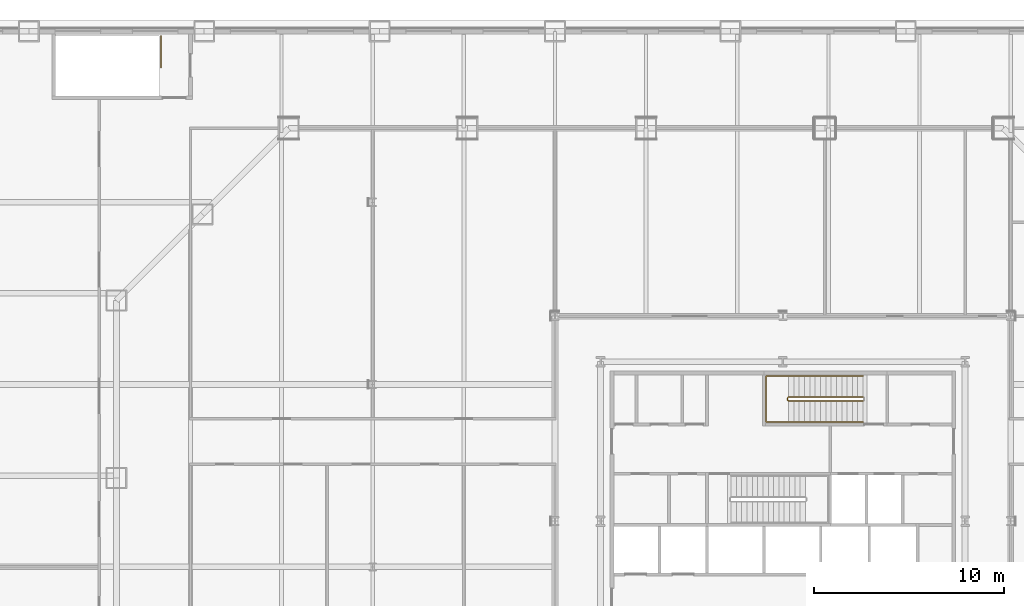
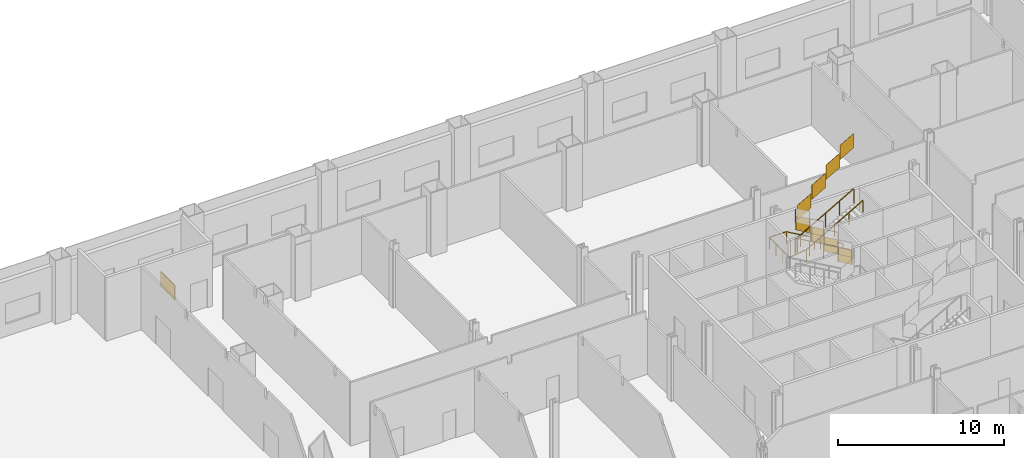
# One storey, part 19 of 22: 3 railings.
"""IFC4 building model written with IfcOpenShell, lengths in metres."""

from ifc_helpers import new_model, si_unit, direction, frame, origin, origin_2d, place, context, subcontext, project, spatial, polyline, rectangle, outline, extrude, material, type_object, element, save


model = new_model("IFC4")

# Units and contexts
model_context = context("Model", 3, precision=1e-05, world=origin(), true_north=direction((0.0, 1.0)))
body_context = subcontext(model_context, "Body", "Model", "MODEL_VIEW")
ifc_project = project(units=[si_unit("LENGTHUNIT", "METRE"), si_unit("AREAUNIT", "SQUARE_METRE"), si_unit("VOLUMEUNIT", "CUBIC_METRE"), si_unit("PLANEANGLEUNIT", "RADIAN"), si_unit("MASSUNIT", "GRAM", prefix="KILO")], contexts=[model_context])

# Site, building, storey
site_placement = place(None, origin())
site = spatial("IfcSite", under=ifc_project, at=site_placement, CompositionType="ELEMENT")
building_placement = place(site_placement, origin())
building = spatial("IfcBuilding", under=site, at=building_placement, Name="Cairn Pilgrim Tower", CompositionType="ELEMENT")
storey_placement = place(building_placement, frame((0.0, 0.0, 35.39990234375)))
storey = spatial("IfcBuildingStorey", under=building, at=storey_placement, Name="L06", CompositionType="ELEMENT", Elevation=35.39990234375)

# Railings
ifc_material = material(Name="Painted steel", Category="steel")
railing_type_1 = type_object("IfcRailingType", Name="PODIUM STAIR GUARD 1100", PredefinedType="GUARDRAIL", material=ifc_material)
railing_1_placement = place(storey_placement, frame((-25.550048828125, 27.949951171875, 0.0)))
element("IfcRailing", 1, at=railing_1_placement, inside=storey, type_object=railing_type_1, Name="L06 ST-HN top well guard 1", PredefinedType="GUARDRAIL", context=body_context, shape_type="SweptSolid", body=[
    extrude(rectangle(XDim=0.048095703125, YDim=0.048095703125, at=origin_2d()), frame((0.0, 0.0, 1.076171875), z_axis=(0.0, -1.0, 0.0), x_axis=(1.0, 0.0, 0.0)), (0.0, 0.0, 1.0), 1.64990234375),
    extrude(rectangle(XDim=0.0419921875, YDim=0.0419921875, at=origin_2d()), origin(), (0.0, 0.0, 1.0), 1.052001953125),
    extrude(rectangle(XDim=0.0419921875, YDim=0.0419921875, at=origin_2d()), frame((0.0, -0.824951171875, 0.0)), (0.0, 0.0, 1.0), 1.052001953125),
    extrude(rectangle(XDim=0.0419921875, YDim=0.0419921875, at=origin_2d()), frame((0.0, -1.64990234375, 0.0)), (0.0, 0.0, 1.0), 1.052001953125),
    extrude(outline(polyline([(0.02099609375, 0.0), (0.803955078125, 0.0), (0.803955078125, 1.052001953125), (0.02099609375, 1.052001953125), (0.02099609375, 0.0)])), frame((0.005859375, 0.0, 0.0), z_axis=(-1.0, 0.0, 0.0), x_axis=(0.0, -1.0, 0.0)), (0.0, 0.0, 1.0), 0.011962890625),
    extrude(outline(polyline([(0.02099609375, 0.0), (0.803955078125, 0.0), (0.803955078125, 1.052001953125), (0.02099609375, 1.052001953125), (0.02099609375, 0.0)])), frame((0.005859375, -0.824951171875, 0.0), z_axis=(-1.0, 0.0, 0.0), x_axis=(0.0, -1.0, 0.0)), (0.0, 0.0, 1.0), 0.011962890625),
])
railing_type_2 = type_object("IfcRailingType", Name="STAIR GUARD 1100", PredefinedType="GUARDRAIL", material=ifc_material)
railing_2_placement = place(storey_placement, frame((11.425048828125, 8.949951171875, 0.16015625)))
element("IfcRailing", 2, at=railing_2_placement, inside=storey, type_object=railing_type_2, Name="L06 ST-C stair guard 1", PredefinedType="GUARDRAIL", context=body_context, shape_type="SweptSolid", body=[
    extrude(rectangle(XDim=0.048095703125, YDim=0.048095703125, at=origin_2d()), frame((0.0, 0.0, 1.076171875), z_axis=(-0.86825312469, 0.0, 0.496121468458), x_axis=(0.0, -1.0, 0.0)), (0.0, 0.0, 1.0), 4.514892578125),
    extrude(rectangle(XDim=0.048095703125, YDim=0.048095703125, at=origin_2d()), frame((-3.920166015625, 0.0, 3.31591796875), z_axis=(-0.705375805398, -0.708833529934, 0.0), x_axis=(0.708833529934, -0.705375805398, 0.0)), (0.0, 0.0, 1.0), 0.070556640625),
    extrude(rectangle(XDim=0.048095703125, YDim=0.048095703125, at=origin_2d()), frame((-3.969970703125, -0.050048828125, 3.31591796875), z_axis=(0.0, -1.0, 0.0), x_axis=(1.0, 0.0, 0.0)), (0.0, 0.0, 1.0), 0.125),
    extrude(rectangle(XDim=0.048095703125, YDim=0.048095703125, at=origin_2d()), frame((-3.969970703125, -0.175048828125, 3.31591796875), z_axis=(0.285027140974, -0.285027140974, 0.915160673224), x_axis=(0.707106781187, 0.707106781187, 0.0)), (0.0, 0.0, 1.0), 0.1748046875),
    extrude(rectangle(XDim=0.048095703125, YDim=0.048095703125, at=origin_2d()), frame((-3.920166015625, -0.224853515625, 3.47607421875), z_axis=(0.86825312469, 0.0, 0.496121468458), x_axis=(0.0, 1.0, 0.0)), (0.0, 0.0, 1.0), 4.514892578125),
    extrude(rectangle(XDim=0.0419921875, YDim=0.0419921875, at=origin_2d()), origin(), (0.0, 0.0, 1.0), 1.052001953125),
    extrude(rectangle(XDim=0.0419921875, YDim=0.0419921875, at=origin_2d()), frame((-0.97998046875, 0.0, 0.56005859375)), (0.0, 0.0, 1.0), 1.052001953125),
    extrude(rectangle(XDim=0.0419921875, YDim=0.0419921875, at=origin_2d()), frame((-1.9599609375, 0.0, 1.1201171875)), (0.0, 0.0, 1.0), 1.052001953125),
    extrude(rectangle(XDim=0.0419921875, YDim=0.0419921875, at=origin_2d()), frame((-2.940185546875, 0.0, 1.679931640625)), (0.0, 0.0, 1.0), 1.052001953125),
    extrude(rectangle(XDim=0.0419921875, YDim=0.0419921875, at=origin_2d()), frame((-3.920166015625, 0.0, 2.239990234375)), (0.0, 0.0, 1.0), 1.052001953125),
    extrude(rectangle(XDim=0.0419921875, YDim=0.0419921875, at=origin_2d()), frame((-3.969970703125, -0.050048828125, 2.239990234375)), (0.0, 0.0, 1.0), 1.052001953125),
    extrude(rectangle(XDim=0.0419921875, YDim=0.0419921875, at=origin_2d()), frame((-3.969970703125, -0.175048828125, 2.239990234375)), (0.0, 0.0, 1.0), 1.052001953125),
    extrude(rectangle(XDim=0.0419921875, YDim=0.0419921875, at=origin_2d()), frame((-3.920166015625, -0.224853515625, 2.39990234375)), (0.0, 0.0, 1.0), 1.052001953125),
    extrude(rectangle(XDim=0.0419921875, YDim=0.0419921875, at=origin_2d()), frame((-2.940185546875, -0.224853515625, 2.9599609375)), (0.0, 0.0, 1.0), 1.052001953125),
    extrude(rectangle(XDim=0.0419921875, YDim=0.0419921875, at=origin_2d()), frame((-1.9599609375, -0.224853515625, 3.52001953125)), (0.0, 0.0, 1.0), 1.052001953125),
    extrude(rectangle(XDim=0.0419921875, YDim=0.0419921875, at=origin_2d()), frame((-0.97998046875, -0.224853515625, 4.079833984375)), (0.0, 0.0, 1.0), 1.052001953125),
    extrude(rectangle(XDim=0.0419921875, YDim=0.0419921875, at=origin_2d()), frame((0.0, -0.224853515625, 4.639892578125)), (0.0, 0.0, 1.0), 1.052001953125),
    extrude(outline(polyline([(0.02099609375, 0.011962890625), (0.958984375, 0.548095703125), (0.958984375, 1.60009765625), (0.02099609375, 1.06396484375), (0.02099609375, 0.011962890625)])), frame((0.0, -0.005859375, 0.0), z_axis=(0.0, 1.0, 0.0), x_axis=(-1.0, 0.0, 0.0)), (0.0, 0.0, 1.0), 0.011962890625),
    extrude(outline(polyline([(0.02099609375, 0.572021484375), (0.958984375, 1.10791015625), (0.958984375, 2.159912109375), (0.02099609375, 1.6240234375), (0.02099609375, 0.572021484375)])), frame((-0.97998046875, -0.005859375, 0.56005859375), z_axis=(0.0, 1.0, 0.0), x_axis=(-1.0, 0.0, 0.0)), (0.0, 0.0, 1.0), 0.011962890625),
    extrude(outline(polyline([(0.02099609375, 1.132080078125), (0.958984375, 1.66796875), (0.958984375, 2.719970703125), (0.02099609375, 2.18408203125), (0.02099609375, 1.132080078125)])), frame((-1.9599609375, -0.005859375, 1.1201171875), z_axis=(0.0, 1.0, 0.0), x_axis=(-1.0, 0.0, 0.0)), (0.0, 0.0, 1.0), 0.011962890625),
    extrude(outline(polyline([(0.02099609375, 1.69189453125), (0.958984375, 2.22802734375), (0.958984375, 3.280029296875), (0.02099609375, 2.743896484375), (0.02099609375, 1.69189453125)])), frame((-2.940185546875, -0.005859375, 1.679931640625), z_axis=(0.0, 1.0, 0.0), x_axis=(-1.0, 0.0, 0.0)), (0.0, 0.0, 1.0), 0.011962890625),
    extrude(outline(polyline([(0.02099609375, 2.239990234375), (0.10400390625, 2.239990234375), (0.10400390625, 3.2919921875), (0.02099609375, 3.2919921875), (0.02099609375, 2.239990234375)])), frame((-3.9638671875, -0.050048828125, 2.239990234375), z_axis=(-1.0, 0.0, 0.0), x_axis=(0.0, -1.0, 0.0)), (0.0, 0.0, 1.0), 0.011962890625),
    extrude(outline(polyline([(0.02099609375, 2.411865234375), (0.958984375, 2.947998046875), (0.958984375, 4.0), (0.02099609375, 3.4638671875), (0.02099609375, 2.411865234375)])), frame((-3.920166015625, -0.21875, 2.39990234375), z_axis=(0.0, -1.0, 0.0), x_axis=(1.0, 0.0, 0.0)), (0.0, 0.0, 1.0), 0.011962890625),
    extrude(outline(polyline([(0.02099609375, 2.971923828125), (0.958984375, 3.5078125), (0.958984375, 4.559814453125), (0.02099609375, 4.02392578125), (0.02099609375, 2.971923828125)])), frame((-2.940185546875, -0.21875, 2.9599609375), z_axis=(0.0, -1.0, 0.0), x_axis=(1.0, 0.0, 0.0)), (0.0, 0.0, 1.0), 0.011962890625),
    extrude(outline(polyline([(0.02099609375, 3.531982421875), (0.958984375, 4.06787109375), (0.958984375, 5.119873046875), (0.02099609375, 4.583984375), (0.02099609375, 3.531982421875)])), frame((-1.9599609375, -0.21875, 3.52001953125), z_axis=(0.0, -1.0, 0.0), x_axis=(1.0, 0.0, 0.0)), (0.0, 0.0, 1.0), 0.011962890625),
    extrude(outline(polyline([(0.02099609375, 4.091796875), (0.958984375, 4.6279296875), (0.958984375, 5.679931640625), (0.02099609375, 5.143798828125), (0.02099609375, 4.091796875)])), frame((-0.97998046875, -0.21875, 4.079833984375), z_axis=(0.0, -1.0, 0.0), x_axis=(1.0, 0.0, 0.0)), (0.0, 0.0, 1.0), 0.011962890625),
])
railing_type_3 = type_object("IfcRailingType", Name="STAIR HANDRAIL 900", PredefinedType="HANDRAIL", material=ifc_material)
railing_3_placement = place(storey_placement, frame((11.425048828125, 10.050048828125, 0.16015625)))
element("IfcRailing", 3, at=railing_3_placement, inside=storey, type_object=railing_type_3, Name="L06 ST-C stair handrail 1", PredefinedType="HANDRAIL", context=body_context, shape_type="SweptSolid", body=[
    extrude(rectangle(XDim=0.048095703125, YDim=0.048095703125, at=origin_2d()), frame((0.0, 0.0, 0.8759765625), z_axis=(-0.86825312469, 0.0, 0.496121468458), x_axis=(0.0, -1.0, 0.0)), (0.0, 0.0, 1.0), 4.514892578125),
    extrude(rectangle(XDim=0.048095703125, YDim=0.048095703125, at=origin_2d()), frame((-3.920166015625, 0.0, 3.11572265625), z_axis=(-1.0, 0.0, 0.0), x_axis=(0.0, -1.0, 0.0)), (0.0, 0.0, 1.0), 1.179931640625),
    extrude(rectangle(XDim=0.048095703125, YDim=0.048095703125, at=origin_2d()), frame((-5.10009765625, 0.0, 3.11572265625), z_axis=(0.0, -1.0, 0.0), x_axis=(1.0, 0.0, 0.0)), (0.0, 0.0, 1.0), 2.425048828125),
    extrude(rectangle(XDim=0.048095703125, YDim=0.048095703125, at=origin_2d()), frame((-5.10009765625, -2.425048828125, 3.11572265625), z_axis=(0.990940877464, 0.0, 0.134298836073), x_axis=(0.0, 1.0, 0.0)), (0.0, 0.0, 1.0), 1.190673828125),
    extrude(rectangle(XDim=0.048095703125, YDim=0.048095703125, at=origin_2d()), frame((-3.920166015625, -2.425048828125, 3.27587890625), z_axis=(0.86825312469, 0.0, 0.496121468458), x_axis=(0.0, 1.0, 0.0)), (0.0, 0.0, 1.0), 4.514892578125),
    extrude(rectangle(XDim=0.0419921875, YDim=0.0419921875, at=origin_2d()), origin(), (0.0, 0.0, 1.0), 0.851806640625),
    extrude(rectangle(XDim=0.0419921875, YDim=0.0419921875, at=origin_2d()), frame((-0.97998046875, 0.0, 0.56005859375)), (0.0, 0.0, 1.0), 0.851806640625),
    extrude(rectangle(XDim=0.0419921875, YDim=0.0419921875, at=origin_2d()), frame((-1.9599609375, 0.0, 1.1201171875)), (0.0, 0.0, 1.0), 0.851806640625),
    extrude(rectangle(XDim=0.0419921875, YDim=0.0419921875, at=origin_2d()), frame((-2.940185546875, 0.0, 1.679931640625)), (0.0, 0.0, 1.0), 0.851806640625),
    extrude(rectangle(XDim=0.0419921875, YDim=0.0419921875, at=origin_2d()), frame((-3.920166015625, 0.0, 2.239990234375)), (0.0, 0.0, 1.0), 0.851806640625),
    extrude(rectangle(XDim=0.0419921875, YDim=0.0419921875, at=origin_2d()), frame((-5.10009765625, 0.0, 2.239990234375)), (0.0, 0.0, 1.0), 0.851806640625),
    extrude(rectangle(XDim=0.0419921875, YDim=0.0419921875, at=origin_2d()), frame((-5.10009765625, -0.808349609375, 2.239990234375)), (0.0, 0.0, 1.0), 0.851806640625),
    extrude(rectangle(XDim=0.0419921875, YDim=0.0419921875, at=origin_2d()), frame((-5.10009765625, -1.61669921875, 2.239990234375)), (0.0, 0.0, 1.0), 0.851806640625),
    extrude(rectangle(XDim=0.0419921875, YDim=0.0419921875, at=origin_2d()), frame((-5.10009765625, -2.425048828125, 2.239990234375)), (0.0, 0.0, 1.0), 0.851806640625),
    extrude(rectangle(XDim=0.0419921875, YDim=0.0419921875, at=origin_2d()), frame((-3.920166015625, -2.425048828125, 2.39990234375)), (0.0, 0.0, 1.0), 0.851806640625),
    extrude(rectangle(XDim=0.0419921875, YDim=0.0419921875, at=origin_2d()), frame((-2.940185546875, -2.425048828125, 2.9599609375)), (0.0, 0.0, 1.0), 0.851806640625),
    extrude(rectangle(XDim=0.0419921875, YDim=0.0419921875, at=origin_2d()), frame((-1.9599609375, -2.425048828125, 3.52001953125)), (0.0, 0.0, 1.0), 0.851806640625),
    extrude(rectangle(XDim=0.0419921875, YDim=0.0419921875, at=origin_2d()), frame((-0.97998046875, -2.425048828125, 4.079833984375)), (0.0, 0.0, 1.0), 0.851806640625),
    extrude(rectangle(XDim=0.0419921875, YDim=0.0419921875, at=origin_2d()), frame((0.0, -2.425048828125, 4.639892578125)), (0.0, 0.0, 1.0), 0.851806640625),
])

save(model, "model.ifc")
